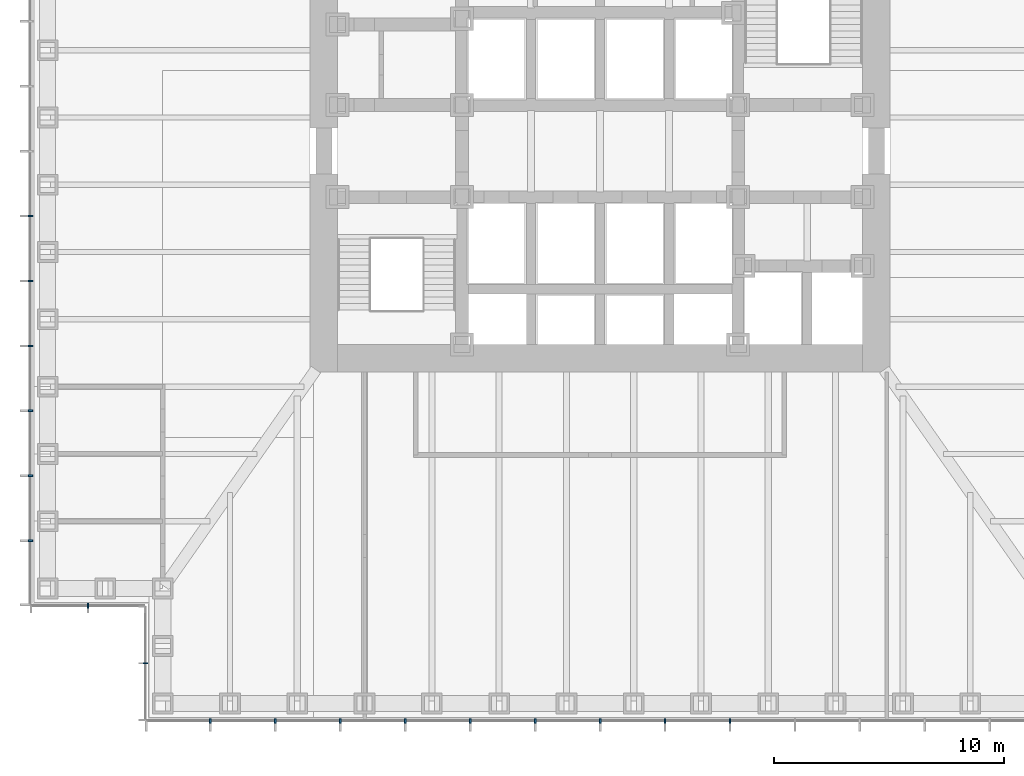
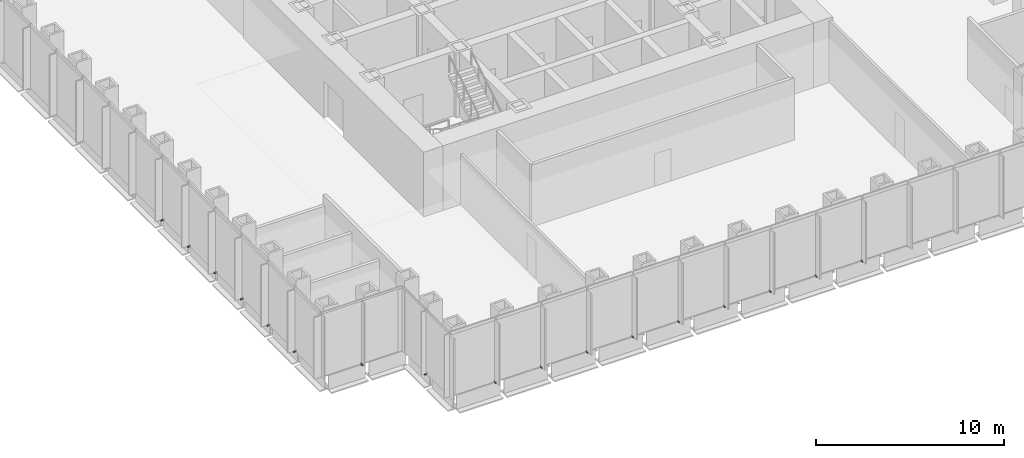
# One storey, part 12 of 17: 17 discrete accessories.
"""IFC4 building model written with IfcOpenShell, lengths in metres."""

from ifc_helpers import new_model, si_unit, direction, frame, origin, origin_2d, place, context, subcontext, project, spatial, rectangle, extrude, element, save


model = new_model("IFC4")

# Units and contexts
model_context = context("Model", 3, precision=1e-05, world=origin(), true_north=direction((0.0, 1.0)))
body_context = subcontext(model_context, "Body", "Model", "MODEL_VIEW")
ifc_project = project(units=[si_unit("LENGTHUNIT", "METRE"), si_unit("AREAUNIT", "SQUARE_METRE"), si_unit("VOLUMEUNIT", "CUBIC_METRE"), si_unit("PLANEANGLEUNIT", "RADIAN"), si_unit("MASSUNIT", "GRAM", prefix="KILO")], contexts=[model_context])

# Site, building, storey
site_placement = place(None, origin())
site = spatial("IfcSite", under=ifc_project, at=site_placement, CompositionType="ELEMENT")
building_placement = place(site_placement, origin())
building = spatial("IfcBuilding", under=site, at=building_placement, Name="Daluyong Arena Tower", CompositionType="ELEMENT")
storey_placement = place(building_placement, frame((0.0, 0.0, 55.89990234375)))
storey = spatial("IfcBuildingStorey", under=building, at=storey_placement, Name="L11", CompositionType="ELEMENT", Elevation=55.89990234375)

# Discrete accessories
for number, where, z_axis, x_axis, name in (
    (1, (39.071533203125, 55.25, -0.099853515625), (0.0, 0.0, 1.0), (1.0, 0.0, 0.0), "curtain wall L11 S anchor bracket 2"),
    (2, (41.892822265625, 55.25, -0.099853515625), (0.0, 0.0, 1.0), (1.0, 0.0, 0.0), "curtain wall L11 S anchor bracket 3"),
    (3, (44.71435546875, 55.25, -0.099853515625), (0.0, 0.0, 1.0), (1.0, 0.0, 0.0), "curtain wall L11 S anchor bracket 4"),
    (4, (47.53564453125, 55.25, -0.099853515625), (0.0, 0.0, 1.0), (1.0, 0.0, 0.0), "curtain wall L11 S anchor bracket 5"),
    (5, (50.357177734375, 55.25, -0.099853515625), (0.0, 0.0, 1.0), (1.0, 0.0, 0.0), "curtain wall L11 S anchor bracket 6"),
    (6, (53.178466796875, 55.25, -0.099853515625), (0.0, 0.0, 1.0), (1.0, 0.0, 0.0), "curtain wall L11 S anchor bracket 7"),
    (7, (56.0, 55.25, -0.099853515625), (0.0, 0.0, 1.0), (1.0, 0.0, 0.0), "curtain wall L11 S anchor bracket 8"),
    (8, (58.821533203125, 55.25, -0.099853515625), (0.0, 0.0, 1.0), (1.0, 0.0, 0.0), "curtain wall L11 S anchor bracket 9"),
    (9, (61.642822265625, 55.25, -0.099853515625), (0.0, 0.0, 1.0), (1.0, 0.0, 0.0), "curtain wall L11 S anchor bracket 10"),
    (10, (31.25, 77.178466796875, -0.099853515625), (0.0, 0.0, 1.0), (0.0, -1.0, 0.0), "curtain wall L11 W anchor bracket 9"),
    (11, (31.25, 74.357177734375, -0.099853515625), (0.0, 0.0, 1.0), (0.0, -1.0, 0.0), "curtain wall L11 W anchor bracket 10"),
    (12, (31.25, 71.53564453125, -0.099853515625), (0.0, 0.0, 1.0), (0.0, -1.0, 0.0), "curtain wall L11 W anchor bracket 11"),
    (13, (31.25, 68.71435546875, -0.099853515625), (0.0, 0.0, 1.0), (0.0, -1.0, 0.0), "curtain wall L11 W anchor bracket 12"),
    (14, (31.25, 65.892822265625, -0.099853515625), (0.0, 0.0, 1.0), (0.0, -1.0, 0.0), "curtain wall L11 W anchor bracket 13"),
    (15, (31.25, 63.071533203125, -0.099853515625), (0.0, 0.0, 1.0), (0.0, -1.0, 0.0), "curtain wall L11 W anchor bracket 14"),
):
    element("IfcDiscreteAccessory", number, at=place(storey_placement, frame(where, z_axis=z_axis, x_axis=x_axis)), inside=storey, Name=name, PredefinedType="BRACKET", context=body_context, shape_type="SweptSolid", body=[
        extrude(rectangle(XDim=0.080078125, YDim=0.199951171875, at=origin_2d()), origin(), (0.0, 0.0, 1.0), 0.10009765625),
    ])
for number, where, z_axis, x_axis, name in (
    (16, (33.75, 60.25, -0.099853515625), (0.0, 0.0, 1.0), (1.0, 0.0, 0.0), "curtain wall L11 SW-S anchor bracket 2"),
    (17, (36.25, 57.75, -0.099853515625), (0.0, 0.0, 1.0), (0.0, -1.0, 0.0), "curtain wall L11 SW-W anchor bracket 2"),
):
    element("IfcDiscreteAccessory", number, at=place(storey_placement, frame(where, z_axis=z_axis, x_axis=x_axis)), inside=storey, Name=name, PredefinedType="BRACKET", context=body_context, shape_type="SweptSolid", body=[
        extrude(rectangle(XDim=0.06005859375, YDim=0.199951171875, at=origin_2d()), origin(), (0.0, 0.0, 1.0), 0.10009765625),
    ])

save(model, "model.ifc")
